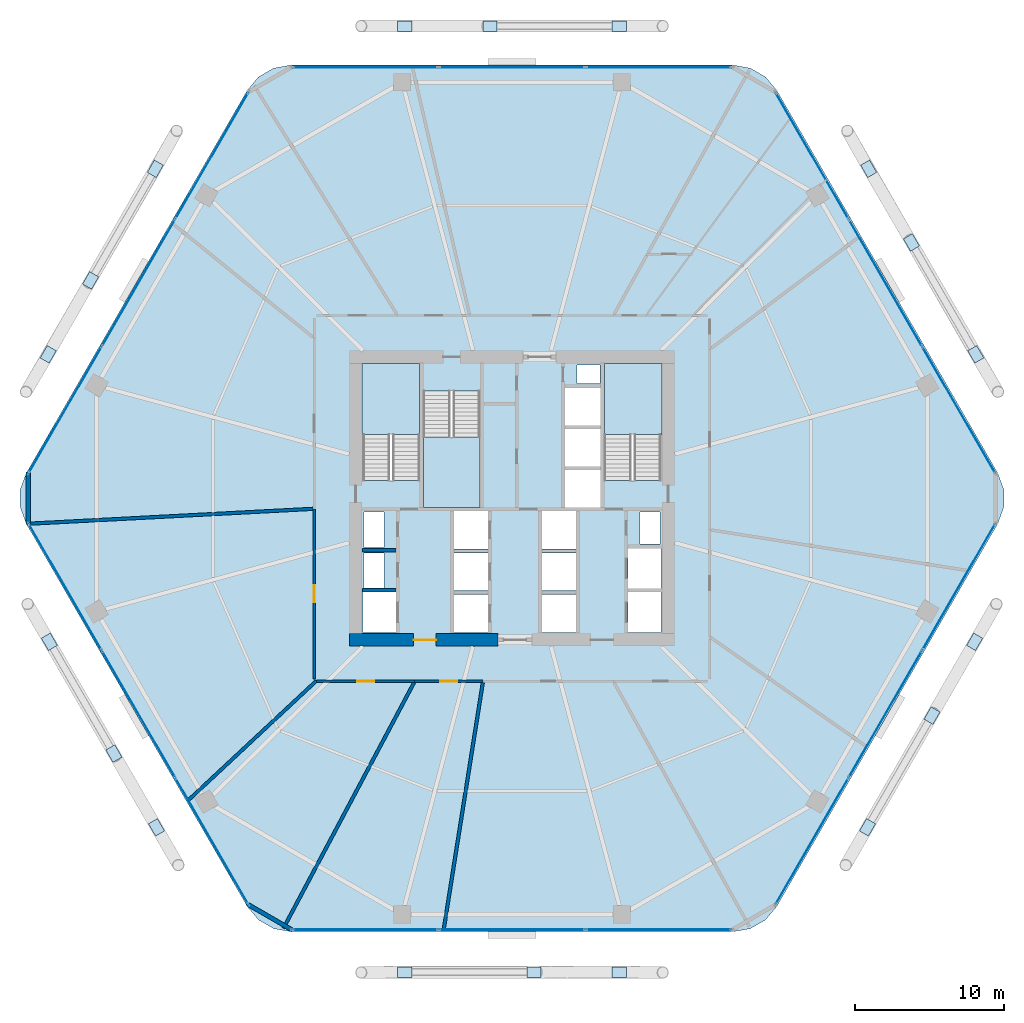
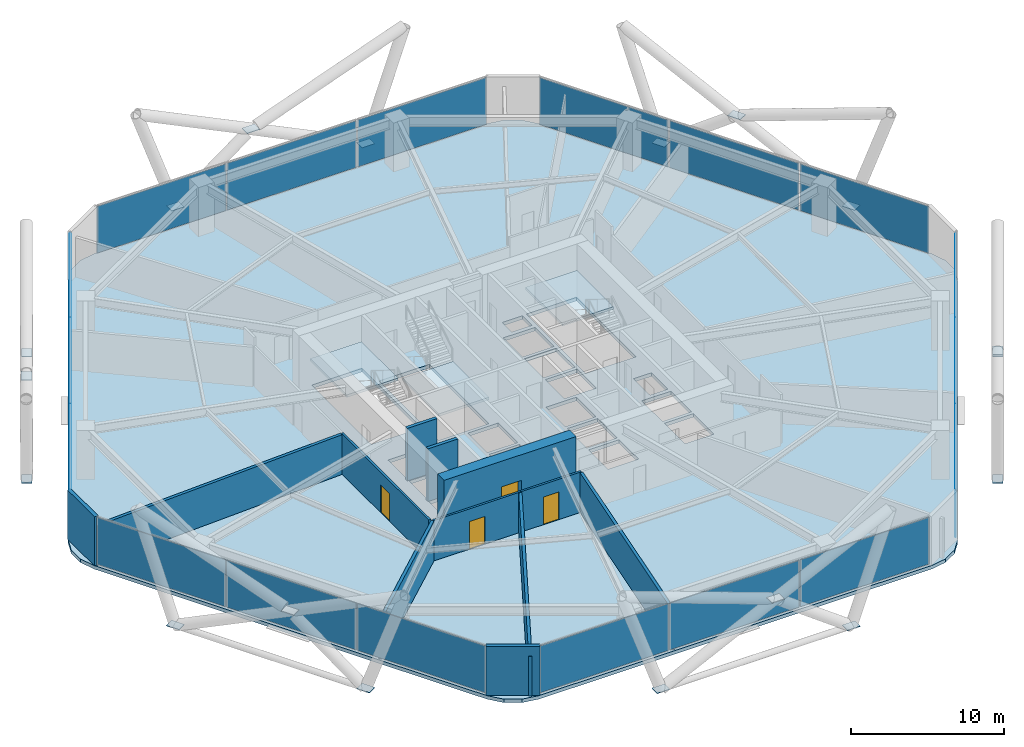
# One storey, part 24 of 30: 36 plates, 12 walls, 4 doors, 4 slabs, 4 openings, 9 elements without a shape of their own.
"""IFC4 building model written with IfcOpenShell, lengths in metres."""

from ifc_helpers import new_model, si_unit, direction, frame, frame_2d, origin, origin_2d, place, context, subcontext, project, spatial, polyline, rectangle, outline, extrude, material, layer, layer_set, type_object, element, fill, aggregate, save


model = new_model("IFC4")

# Units and contexts
model_context = context("Model", 3, precision=1e-05, world=origin(), true_north=direction((0.0, 1.0)))
body_context = subcontext(model_context, "Body", "Model", "MODEL_VIEW")
ifc_project = project(units=[si_unit("LENGTHUNIT", "METRE"), si_unit("AREAUNIT", "SQUARE_METRE"), si_unit("VOLUMEUNIT", "CUBIC_METRE"), si_unit("PLANEANGLEUNIT", "RADIAN"), si_unit("MASSUNIT", "GRAM", prefix="KILO")], contexts=[model_context])

# Site, building, storey
site_placement = place(None, origin())
site = spatial("IfcSite", under=ifc_project, at=site_placement, CompositionType="ELEMENT")
building_placement = place(site_placement, origin())
building = spatial("IfcBuilding", under=site, at=building_placement, Name="Zuhravey Tower", CompositionType="ELEMENT")
storey_placement = place(building_placement, frame((0.0, 0.0, 33.0)))
storey = spatial("IfcBuildingStorey", under=building, at=storey_placement, Name="L08", CompositionType="ELEMENT", Elevation=33.0)

# Curtain wall, plates
ifc_material_1 = material(Name="Thermally broken anodised aluminium", Category="aluminium")
curtain_wall_type = type_object("IfcCurtainWallType", Name="School Low-E Unitised Curtain Wall CW1", PredefinedType="NOTDEFINED", material=ifc_material_1)
curtain_wall_1_placement = place(storey_placement, origin())
curtain_wall_1 = element("IfcCurtainWall", 1, at=curtain_wall_1_placement, inside=storey, type_object=curtain_wall_type, Name="L08 CW1 CW-L08-F6-1", PredefinedType="NOTDEFINED")
ifc_material_2 = material(Name="Laminated acoustic low-E vision glass", Category="glass")
ifc_layer_1 = layer(ifc_material_2, 0.048095703125)
ifc_layer_set_1 = layer_set([ifc_layer_1], Name="Laminated acoustic low-E vision glass")
plate_type_1 = type_object("IfcPlateType", Name="Acoustic School Vision Panel", PredefinedType="CURTAIN_PANEL", material=ifc_layer_set_1)
plate_1_placement = place(storey_placement, frame((66.000732421875, 26.045654296875, 0.08984375), z_axis=(0.0, 0.0, 1.0), x_axis=(-0.499999794119, -0.86602552265, 0.0)))
plate_1 = element("IfcPlate", 2, at=plate_1_placement, type_object=plate_type_1, Name="CW1 panel 1.1", PredefinedType="CURTAIN_PANEL", context=body_context, shape_type="SweptSolid", body=[
    extrude(rectangle(XDim=9.7314453125, YDim=0.048095703125, at=origin_2d()), origin(), (0.0, 0.0, 1.0), 3.739990234375),
])
plate_2_placement = place(storey_placement, frame((61.078857421875, 17.520751953125, 0.08984375), z_axis=(0.0, 0.0, 1.0), x_axis=(-0.499999794119, -0.86602552265, 0.0)))
plate_2 = element("IfcPlate", 3, at=plate_2_placement, type_object=plate_type_1, Name="CW1 panel 2.1", PredefinedType="CURTAIN_PANEL", context=body_context, shape_type="SweptSolid", body=[
    extrude(rectangle(XDim=9.7763671875, YDim=0.048095703125, at=origin_2d()), origin(), (0.0, 0.0, 1.0), 3.739990234375),
])
plate_3_placement = place(storey_placement, frame((56.15673828125, 8.995849609375, 0.08984375), z_axis=(0.0, 0.0, 1.0), x_axis=(-0.499999794119, -0.86602552265, 0.0)))
plate_3 = element("IfcPlate", 4, at=plate_3_placement, type_object=plate_type_1, Name="CW1 panel 3.1", PredefinedType="CURTAIN_PANEL", context=body_context, shape_type="SweptSolid", body=[
    extrude(rectangle(XDim=9.7314453125, YDim=0.048095703125, at=origin_2d()), origin(), (0.0, 0.0, 1.0), 3.739990234375),
])
aggregate(curtain_wall_1, [plate_1, plate_2, plate_3])

curtain_wall_2_placement = place(storey_placement, origin())
curtain_wall_2 = element("IfcCurtainWall", 5, at=curtain_wall_2_placement, inside=storey, type_object=curtain_wall_type, Name="L08 CW1 CW-L08-F5-1", PredefinedType="NOTDEFINED")
plate_4_placement = place(storey_placement, frame((45.84375, 3.04150390625, 0.08984375), z_axis=(0.0, 0.0, 1.0), x_axis=(-1.0, 0.0, 0.0)))
plate_4 = element("IfcPlate", 6, at=plate_4_placement, type_object=plate_type_1, Name="CW1 panel 1.1", PredefinedType="CURTAIN_PANEL", context=body_context, shape_type="SweptSolid", body=[
    extrude(rectangle(XDim=9.7314453125, YDim=0.048095703125, at=origin_2d()), origin(), (0.0, 0.0, 1.0), 3.739990234375),
])
plate_5_placement = place(storey_placement, frame((36.0, 3.04150390625, 0.08984375), z_axis=(0.0, 0.0, 1.0), x_axis=(-1.0, 0.0, 0.0)))
plate_5 = element("IfcPlate", 7, at=plate_5_placement, type_object=plate_type_1, Name="CW1 panel 2.1", PredefinedType="CURTAIN_PANEL", context=body_context, shape_type="SweptSolid", body=[
    extrude(rectangle(XDim=9.7763671875, YDim=0.048095703125, at=origin_2d()), origin(), (0.0, 0.0, 1.0), 3.739990234375),
])
plate_6_placement = place(storey_placement, frame((26.15625, 3.04150390625, 0.08984375), z_axis=(0.0, 0.0, 1.0), x_axis=(-1.0, 0.0, 0.0)))
plate_6 = element("IfcPlate", 8, at=plate_6_placement, type_object=plate_type_1, Name="CW1 panel 3.1", PredefinedType="CURTAIN_PANEL", context=body_context, shape_type="SweptSolid", body=[
    extrude(rectangle(XDim=9.7314453125, YDim=0.048095703125, at=origin_2d()), origin(), (0.0, 0.0, 1.0), 3.739990234375),
])
aggregate(curtain_wall_2, [plate_4, plate_5, plate_6])

curtain_wall_3_placement = place(storey_placement, origin())
curtain_wall_3 = element("IfcCurtainWall", 9, at=curtain_wall_3_placement, inside=storey, type_object=curtain_wall_type, Name="L08 CW1 CW-L08-F4-1", PredefinedType="NOTDEFINED")
plate_7_placement = place(storey_placement, frame((15.84326171875, 8.995849609375, 0.08984375), z_axis=(0.0, 0.0, 1.0), x_axis=(-0.499999794119, 0.86602552265, 0.0)))
plate_7 = element("IfcPlate", 10, at=plate_7_placement, type_object=plate_type_1, Name="CW1 panel 1.1", PredefinedType="CURTAIN_PANEL", context=body_context, shape_type="SweptSolid", body=[
    extrude(rectangle(XDim=9.7314453125, YDim=0.048095703125, at=origin_2d()), origin(), (0.0, 0.0, 1.0), 3.739990234375),
])
plate_8_placement = place(storey_placement, frame((10.921142578125, 17.520751953125, 0.08984375), z_axis=(0.0, 0.0, 1.0), x_axis=(-0.499999794119, 0.86602552265, 0.0)))
plate_8 = element("IfcPlate", 11, at=plate_8_placement, type_object=plate_type_1, Name="CW1 panel 2.1", PredefinedType="CURTAIN_PANEL", context=body_context, shape_type="SweptSolid", body=[
    extrude(rectangle(XDim=9.7763671875, YDim=0.048095703125, at=origin_2d()), origin(), (0.0, 0.0, 1.0), 3.739990234375),
])
plate_9_placement = place(storey_placement, frame((5.999267578125, 26.045654296875, 0.08984375), z_axis=(0.0, 0.0, 1.0), x_axis=(-0.499999794119, 0.86602552265, 0.0)))
plate_9 = element("IfcPlate", 12, at=plate_9_placement, type_object=plate_type_1, Name="CW1 panel 3.1", PredefinedType="CURTAIN_PANEL", context=body_context, shape_type="SweptSolid", body=[
    extrude(rectangle(XDim=9.7314453125, YDim=0.048095703125, at=origin_2d()), origin(), (0.0, 0.0, 1.0), 3.739990234375),
])
aggregate(curtain_wall_3, [plate_7, plate_8, plate_9])

curtain_wall_4_placement = place(storey_placement, origin())
curtain_wall_4 = element("IfcCurtainWall", 13, at=curtain_wall_4_placement, inside=storey, type_object=curtain_wall_type, Name="L08 CW1 CW-L08-F3-1", PredefinedType="NOTDEFINED")
plate_10_placement = place(storey_placement, frame((5.999267578125, 37.954345703125, 0.08984375), z_axis=(0.0, 0.0, 1.0), x_axis=(0.499999794119, 0.86602552265, 0.0)))
plate_10 = element("IfcPlate", 14, at=plate_10_placement, type_object=plate_type_1, Name="CW1 panel 1.1", PredefinedType="CURTAIN_PANEL", context=body_context, shape_type="SweptSolid", body=[
    extrude(rectangle(XDim=9.7314453125, YDim=0.048095703125, at=origin_2d()), origin(), (0.0, 0.0, 1.0), 3.739990234375),
])
plate_11_placement = place(storey_placement, frame((10.921142578125, 46.479248046875, 0.08984375), z_axis=(0.0, 0.0, 1.0), x_axis=(0.499999794119, 0.86602552265, 0.0)))
plate_11 = element("IfcPlate", 15, at=plate_11_placement, type_object=plate_type_1, Name="CW1 panel 2.1", PredefinedType="CURTAIN_PANEL", context=body_context, shape_type="SweptSolid", body=[
    extrude(rectangle(XDim=9.7763671875, YDim=0.048095703125, at=origin_2d()), origin(), (0.0, 0.0, 1.0), 3.739990234375),
])
plate_12_placement = place(storey_placement, frame((15.84326171875, 55.004150390625, 0.08984375), z_axis=(0.0, 0.0, 1.0), x_axis=(0.499999794119, 0.86602552265, 0.0)))
plate_12 = element("IfcPlate", 16, at=plate_12_placement, type_object=plate_type_1, Name="CW1 panel 3.1", PredefinedType="CURTAIN_PANEL", context=body_context, shape_type="SweptSolid", body=[
    extrude(rectangle(XDim=9.7314453125, YDim=0.048095703125, at=origin_2d()), origin(), (0.0, 0.0, 1.0), 3.739990234375),
])
aggregate(curtain_wall_4, [plate_10, plate_11, plate_12])

curtain_wall_5_placement = place(storey_placement, origin())
curtain_wall_5 = element("IfcCurtainWall", 17, at=curtain_wall_5_placement, inside=storey, type_object=curtain_wall_type, Name="L08 CW1 CW-L08-F2-1", PredefinedType="NOTDEFINED")
plate_13_placement = place(storey_placement, frame((26.15625, 60.95849609375, 0.08984375), z_axis=(0.0, 0.0, 1.0), x_axis=(1.0, 0.0, 0.0)))
plate_13 = element("IfcPlate", 18, at=plate_13_placement, type_object=plate_type_1, Name="CW1 panel 1.1", PredefinedType="CURTAIN_PANEL", context=body_context, shape_type="SweptSolid", body=[
    extrude(rectangle(XDim=9.7314453125, YDim=0.048095703125, at=origin_2d()), origin(), (0.0, 0.0, 1.0), 3.739990234375),
])
plate_14_placement = place(storey_placement, frame((36.0, 60.95849609375, 0.08984375), z_axis=(0.0, 0.0, 1.0), x_axis=(1.0, 0.0, 0.0)))
plate_14 = element("IfcPlate", 19, at=plate_14_placement, type_object=plate_type_1, Name="CW1 panel 2.1", PredefinedType="CURTAIN_PANEL", context=body_context, shape_type="SweptSolid", body=[
    extrude(rectangle(XDim=9.7763671875, YDim=0.048095703125, at=origin_2d()), origin(), (0.0, 0.0, 1.0), 3.739990234375),
])
plate_15_placement = place(storey_placement, frame((45.84375, 60.95849609375, 0.08984375), z_axis=(0.0, 0.0, 1.0), x_axis=(1.0, 0.0, 0.0)))
plate_15 = element("IfcPlate", 20, at=plate_15_placement, type_object=plate_type_1, Name="CW1 panel 3.1", PredefinedType="CURTAIN_PANEL", context=body_context, shape_type="SweptSolid", body=[
    extrude(rectangle(XDim=9.7314453125, YDim=0.048095703125, at=origin_2d()), origin(), (0.0, 0.0, 1.0), 3.739990234375),
])
aggregate(curtain_wall_5, [plate_13, plate_14, plate_15])

curtain_wall_6_placement = place(storey_placement, origin())
curtain_wall_6 = element("IfcCurtainWall", 21, at=curtain_wall_6_placement, inside=storey, type_object=curtain_wall_type, Name="L08 CW1 CW-L08-F1-1", PredefinedType="NOTDEFINED")
plate_16_placement = place(storey_placement, frame((56.15673828125, 55.004150390625, 0.08984375), z_axis=(0.0, 0.0, 1.0), x_axis=(0.499999794119, -0.86602552265, 0.0)))
plate_16 = element("IfcPlate", 22, at=plate_16_placement, type_object=plate_type_1, Name="CW1 panel 1.1", PredefinedType="CURTAIN_PANEL", context=body_context, shape_type="SweptSolid", body=[
    extrude(rectangle(XDim=9.7314453125, YDim=0.048095703125, at=origin_2d()), origin(), (0.0, 0.0, 1.0), 3.739990234375),
])
plate_17_placement = place(storey_placement, frame((61.078857421875, 46.479248046875, 0.08984375), z_axis=(0.0, 0.0, 1.0), x_axis=(0.499999794119, -0.86602552265, 0.0)))
plate_17 = element("IfcPlate", 23, at=plate_17_placement, type_object=plate_type_1, Name="CW1 panel 2.1", PredefinedType="CURTAIN_PANEL", context=body_context, shape_type="SweptSolid", body=[
    extrude(rectangle(XDim=9.7763671875, YDim=0.048095703125, at=origin_2d()), origin(), (0.0, 0.0, 1.0), 3.739990234375),
])
plate_18_placement = place(storey_placement, frame((66.000732421875, 37.954345703125, 0.08984375), z_axis=(0.0, 0.0, 1.0), x_axis=(0.499999794119, -0.86602552265, 0.0)))
plate_18 = element("IfcPlate", 24, at=plate_18_placement, type_object=plate_type_1, Name="CW1 panel 3.1", PredefinedType="CURTAIN_PANEL", context=body_context, shape_type="SweptSolid", body=[
    extrude(rectangle(XDim=9.7314453125, YDim=0.048095703125, at=origin_2d()), origin(), (0.0, 0.0, 1.0), 3.739990234375),
])
aggregate(curtain_wall_6, [plate_16, plate_17, plate_18])

# Plates
ifc_material_3 = material(Name="Steel SM460", Category="steel")
ifc_layer_2 = layer(ifc_material_3, 0.0400390625)
ifc_layer_set_2 = layer_set([ifc_layer_2], Name="Steel SM460")
plate_type_2 = type_object("IfcPlateType", Name="Exoskeleton Zone 1 Node Plate ND1", PredefinedType="SHEET", material=ifc_layer_set_2)
for number, where, z_axis, x_axis, name in (
    (25, (67.143798828125, 41.67431640625, -0.513916015625), (0.0, 0.0, 1.0), (-0.5, 0.866025403784, 0.0), "L08 Exoskeleton Node Gusset L08-01"),
    (26, (59.949951171875, 54.13427734375, -0.513916015625), (0.0, 0.0, 1.0), (-0.5, 0.866025403784, 0.0), "L08 Exoskeleton Node Gusset L08-02"),
    (27, (43.19384765625, 63.718505859375, -0.513916015625), (0.0, 0.0, 1.0), (-1.0, 0.0, 0.0), "L08 Exoskeleton Node Gusset L08-03"),
    (28, (28.80615234375, 63.718505859375, -0.513916015625), (0.0, 0.0, 1.0), (-1.0, 0.0, 0.0), "L08 Exoskeleton Node Gusset L08-04"),
    (29, (12.050048828125, 54.13427734375, -0.513916015625), (0.0, 0.0, 1.0), (-0.5, -0.866025403784, 0.0), "L08 Exoskeleton Node Gusset L08-05"),
    (30, (4.856201171875, 41.67431640625, -0.513916015625), (0.0, 0.0, 1.0), (-0.5, -0.866025403784, 0.0), "L08 Exoskeleton Node Gusset L08-06"),
    (31, (4.93408203125, 22.370849609375, -0.513916015625), (0.0, 0.0, 1.0), (0.5, -0.866025403784, 0.0), "L08 Exoskeleton Node Gusset L08-07"),
    (32, (12.1279296875, 9.91064453125, -0.513916015625), (0.0, 0.0, 1.0), (0.5, -0.866025403784, 0.0), "L08 Exoskeleton Node Gusset L08-08"),
    (33, (28.80615234375, 0.19140625, -0.513916015625), (0.0, 0.0, 1.0), (1.0, 0.0, 0.0), "L08 Exoskeleton Node Gusset L08-09"),
    (34, (43.19384765625, 0.19140625, -0.513916015625), (0.0, 0.0, 1.0), (1.0, 0.0, 0.0), "L08 Exoskeleton Node Gusset L08-10"),
    (35, (59.8720703125, 9.91064453125, -0.513916015625), (0.0, 0.0, 1.0), (0.5, 0.866025403784, 0.0), "L08 Exoskeleton Node Gusset L08-11"),
    (36, (67.06591796875, 22.370849609375, -0.513916015625), (0.0, 0.0, 1.0), (0.5, 0.866025403784, 0.0), "L08 Exoskeleton Node Gusset L08-12"),
    (37, (62.82421875, 49.18603515625, 3.68603515625), (0.0, 0.0, 1.0), (-0.5, 0.866025403784, 0.0), "L08 Face 1 Diagrid X-Crossing Plate"),
    (38, (34.528564453125, 63.718505859375, 3.68603515625), (0.0, 0.0, 1.0), (-1.0, 0.0, 0.0), "L08 Face 2 Diagrid X-Crossing Plate"),
    (39, (7.704345703125, 46.637451171875, 3.68603515625), (0.0, 0.0, 1.0), (-0.5, -0.866025403784, 0.0), "L08 Face 3 Diagrid X-Crossing Plate"),
    (40, (9.266845703125, 14.866455078125, 3.68603515625), (0.0, 0.0, 1.0), (0.5, -0.866025403784, 0.0), "L08 Face 4 Diagrid X-Crossing Plate"),
    (41, (37.471435546875, 0.176513671875, 3.68603515625), (0.0, 0.0, 1.0), (1.0, 0.0, 0.0), "L08 Face 5 Diagrid X-Crossing Plate"),
    (42, (64.204833984375, 17.4150390625, 3.68603515625), (0.0, 0.0, 1.0), (0.5, 0.866025403784, 0.0), "L08 Face 6 Diagrid X-Crossing Plate"),
):
    element("IfcPlate", number, at=place(storey_placement, frame(where, z_axis=z_axis, x_axis=x_axis)), inside=storey, type_object=plate_type_2, Name=name, PredefinedType="SHEET", context=body_context, shape_type="SweptSolid", body=[
        extrude(rectangle(XDim=0.9599609375, YDim=0.699951171875, at=origin_2d()), origin(), (0.0, 0.0, 1.0), 0.0400390625),
    ])

# Slab
ifc_material_4 = material(Name="Concrete C50/60", Category="concrete")
ifc_layer_3 = layer(ifc_material_4, 0.280029296875)
ifc_layer_set_3 = layer_set([ifc_layer_3], Name="Concrete C50/60")
slab_type_1 = type_object("IfcSlabType", Name="School Composite Floor Slab 280", PredefinedType="FLOOR", material=ifc_layer_set_3)
slab_1_placement = place(storey_placement, frame((0.0, 0.0, -0.280029296875)))
element("IfcSlab", 43, at=slab_1_placement, inside=storey, type_object=slab_type_1, Name="L08 Floor Slab FS28", PredefinedType="FLOOR", context=body_context, shape_type="SweptSolid", body=[
    extrude(outline(polyline([(68.618408203125, 30.300048828125), (69.0224609375, 31.40966796875), (69.0224609375, 32.59033203125), (68.618408203125, 33.699951171875), (53.781494140625, 59.3984375), (53.0224609375, 60.302978515625), (52.0, 60.893310546875), (50.8369140625, 61.098388671875), (21.1630859375, 61.098388671875), (20.0, 60.893310546875), (18.9775390625, 60.302978515625), (18.218505859375, 59.3984375), (3.381591796875, 33.699951171875), (2.9775390625, 32.59033203125), (2.9775390625, 31.40966796875), (3.381591796875, 30.300048828125), (18.218505859375, 4.6015625), (18.9775390625, 3.697021484375), (20.0, 3.106689453125), (21.1630859375, 2.901611328125), (50.8369140625, 2.901611328125), (52.0, 3.106689453125), (53.0224609375, 3.697021484375), (53.781494140625, 4.6015625), (68.618408203125, 30.300048828125)]), holes=[polyline([(29.800048828125, 33.20068359375), (29.800048828125, 41.0), (26.0, 41.0), (26.0, 33.20068359375), (29.800048828125, 33.20068359375)]), polyline([(46.0, 33.20068359375), (46.0, 41.0), (42.199951171875, 41.0), (42.199951171875, 33.20068359375), (46.0, 33.20068359375)]), polyline([(30.050048828125, 39.199462890625), (30.050048828125, 31.39990234375), (33.85009765625, 31.39990234375), (33.85009765625, 39.199462890625), (30.050048828125, 39.199462890625)]), polyline([(32.10009765625, 23.0), (34.39990234375, 23.0), (34.39990234375, 25.550048828125), (32.10009765625, 25.550048828125), (32.10009765625, 23.0)]), polyline([(32.10009765625, 25.800048828125), (34.39990234375, 25.800048828125), (34.39990234375, 28.35009765625), (32.10009765625, 28.35009765625), (32.10009765625, 25.800048828125)]), polyline([(32.10009765625, 28.60009765625), (34.39990234375, 28.60009765625), (34.39990234375, 31.14990234375), (32.10009765625, 31.14990234375), (32.10009765625, 28.60009765625)]), polyline([(38.0, 23.0), (40.300048828125, 23.0), (40.300048828125, 25.550048828125), (38.0, 25.550048828125), (38.0, 23.0)]), polyline([(38.0, 25.800048828125), (40.300048828125, 25.800048828125), (40.300048828125, 28.35009765625), (38.0, 28.35009765625), (38.0, 25.800048828125)]), polyline([(38.0, 28.60009765625), (40.300048828125, 28.60009765625), (40.300048828125, 31.14990234375), (38.0, 31.14990234375), (38.0, 28.60009765625)]), polyline([(39.550048828125, 31.39990234375), (41.949951171875, 31.39990234375), (41.949951171875, 33.89990234375), (39.550048828125, 33.89990234375), (39.550048828125, 31.39990234375)]), polyline([(39.550048828125, 34.14990234375), (41.949951171875, 34.14990234375), (41.949951171875, 36.64990234375), (39.550048828125, 36.64990234375), (39.550048828125, 34.14990234375)]), polyline([(39.550048828125, 36.89990234375), (41.949951171875, 36.89990234375), (41.949951171875, 39.39990234375), (39.550048828125, 39.39990234375), (39.550048828125, 36.89990234375)]), polyline([(26.0, 23.0), (28.199951171875, 23.0), (28.199951171875, 25.699951171875), (26.0, 25.699951171875), (26.0, 23.0)]), polyline([(43.800048828125, 23.0), (46.0, 23.0), (46.0, 25.699951171875), (43.800048828125, 25.699951171875), (43.800048828125, 23.0)]), polyline([(43.800048828125, 25.949951171875), (46.0, 25.949951171875), (46.0, 28.64990234375), (43.800048828125, 28.64990234375), (43.800048828125, 25.949951171875)]), polyline([(26.050048828125, 26.0), (27.39990234375, 26.0), (27.39990234375, 28.35009765625), (26.050048828125, 28.35009765625), (26.050048828125, 26.0)]), polyline([(26.050048828125, 28.699951171875), (27.39990234375, 28.699951171875), (27.39990234375, 31.10009765625), (26.050048828125, 31.10009765625), (26.050048828125, 28.699951171875)]), polyline([(44.60009765625, 28.949951171875), (45.949951171875, 28.949951171875), (45.949951171875, 31.10009765625), (44.60009765625, 31.10009765625), (44.60009765625, 28.949951171875)]), polyline([(40.35009765625, 39.699951171875), (41.89990234375, 39.699951171875), (41.89990234375, 40.949951171875), (40.35009765625, 40.949951171875), (40.35009765625, 39.699951171875)])]), origin(), (0.0, 0.0, 1.0), 0.280029296875),
])

# Stair, slab
ifc_material_5 = material(Name="Concrete C40/50", Category="concrete")
stair_type = type_object("IfcStairType", Name="School Storey Stair Assembly 4200", PredefinedType="HALF_TURN_STAIR", material=ifc_material_5)
stair_1_placement = place(storey_placement, origin())
stair_1 = element("IfcStair", 44, at=stair_1_placement, inside=storey, type_object=stair_type, Name="L08 Core Exit Stair ST1", PredefinedType="HALF_TURN_STAIR")
ifc_layer_4 = layer(ifc_material_5, 0.199951171875)
ifc_layer_set_4 = layer_set([ifc_layer_4], Name="Concrete C40/50")
slab_type_2 = type_object("IfcSlabType", Name="Stair Landing Slab 200", PredefinedType="LANDING", material=ifc_layer_set_4)
slab_2_placement = place(storey_placement, frame((0.0, 0.0, 1.89990234375)))
slab_2 = element("IfcSlab", 45, at=slab_2_placement, type_object=slab_type_2, Name="ST1 landing 1", PredefinedType="LANDING", context=body_context, shape_type="SweptSolid", body=[
    extrude(outline(polyline([(29.800048828125, 36.280029296875), (29.800048828125, 41.072998046875), (25.927001953125, 41.072998046875), (25.927001953125, 36.280029296875), (29.800048828125, 36.280029296875)])), origin(), (0.0, 0.0, 1.0), 0.2001953125),
])
aggregate(stair_1, [slab_2])

stair_2_placement = place(storey_placement, origin())
stair_2 = element("IfcStair", 46, at=stair_2_placement, inside=storey, type_object=stair_type, Name="L08 Core Exit Stair ST2", PredefinedType="HALF_TURN_STAIR")
slab_3_placement = place(storey_placement, frame((0.0, 0.0, 1.89990234375)))
slab_3 = element("IfcSlab", 47, at=slab_3_placement, type_object=slab_type_2, Name="ST2 landing 1", PredefinedType="LANDING", context=body_context, shape_type="SweptSolid", body=[
    extrude(outline(polyline([(46.072998046875, 36.280029296875), (46.072998046875, 41.072998046875), (42.199951171875, 41.072998046875), (42.199951171875, 36.280029296875), (46.072998046875, 36.280029296875)])), origin(), (0.0, 0.0, 1.0), 0.2001953125),
])
aggregate(stair_2, [slab_3])

stair_3_placement = place(storey_placement, origin())
stair_3 = element("IfcStair", 48, at=stair_3_placement, inside=storey, type_object=stair_type, Name="L08 Core Exit Stair ST3", PredefinedType="HALF_TURN_STAIR")
slab_4_placement = place(storey_placement, frame((0.0, 0.0, 1.89990234375)))
slab_4 = element("IfcSlab", 49, at=slab_4_placement, type_object=slab_type_2, Name="ST3 landing 1", PredefinedType="LANDING", context=body_context, shape_type="SweptSolid", body=[
    extrude(outline(polyline([(30.050048828125, 36.1201171875), (30.050048828125, 31.39990234375), (33.85009765625, 31.39990234375), (33.85009765625, 36.1201171875), (30.050048828125, 36.1201171875)])), origin(), (0.0, 0.0, 1.0), 0.2001953125),
])
aggregate(stair_3, [slab_4])

# Wall, opening, door
ifc_material_6 = material(Name="Concrete C60/75", Category="concrete")
ifc_layer_5 = layer(ifc_material_6, 0.85009765625)
ifc_layer_set_5 = layer_set([ifc_layer_5], Name="Concrete C60/75")
wall_type_1 = type_object("IfcWallType", Name="Core Shear Wall 850", PredefinedType="SHEAR", material=ifc_layer_set_5)
wall_1_placement = place(storey_placement, frame((25.074951171875, 22.5, 0.0), z_axis=(0.0, 0.0, 1.0), x_axis=(1.0, 0.0, 0.0)))
wall_1 = element("IfcWall", 50, at=wall_1_placement, inside=storey, type_object=wall_type_1, Name="L08 South-West Core Shear Wall CW85", PredefinedType="SHEAR", context=body_context, shape_type="SweptSolid", body=[
    extrude(rectangle(XDim=9.97509765625, YDim=0.85009765625, at=frame_2d((4.987548828125, 0.0))), origin(), (0.0, 0.0, 1.0), 4.199951171875),
])
opening_1_placement = place(wall_1_placement, frame((4.324951171875, 0.0, 0.0)))
opening_1 = element("IfcOpeningElement", 51, at=opening_1_placement, cuts=wall_1, Name="Opening FFD1", PredefinedType="OPENING", context=body_context, shape_type="SweptSolid", body=[
    extrude(rectangle(XDim=1.5, YDim=2.14990234375, at=frame_2d((0.75, 1.074951171875))), frame((0.0, 0.43701171875, 0.0), z_axis=(0.0, -1.0, 0.0), x_axis=(1.0, 0.0, 0.0)), (0.0, 0.0, 1.0), 0.8740234375),
])
ifc_material_7 = material(Name="Galvanised fire-rated steel leaf", Category="steel")
door_type_1 = type_object("IfcDoorType", Name="Firefighting Lobby Double Door 1500x2150", OperationType="DOUBLE_DOOR_SINGLE_SWING", PredefinedType="DOOR", material=ifc_material_7)
door_1_placement = place(opening_1_placement, origin())
door_1 = element("IfcDoor", 52, at=door_1_placement, inside=storey, type_object=door_type_1, Name="L08 Firefighting Lobby West Door", OperationType="DOUBLE_DOOR_SINGLE_SWING", OverallHeight=2.14990234375, OverallWidth=1.5, PredefinedType="DOOR", context=body_context, shape_type="SweptSolid", body=[
    extrude(rectangle(XDim=1.5, YDim=2.14990234375, at=frame_2d((0.75, 1.074951171875))), frame((0.0, 0.02490234375, 0.0), z_axis=(0.0, -1.0, 0.0), x_axis=(1.0, 0.0, 0.0)), (0.0, 0.0, 1.0), 0.050048828125),
])
fill(opening_1, door_1)

ifc_material_8 = material(Name="Gypsum fire-rated stud partition")
ifc_layer_6 = layer(ifc_material_8, 0.159912109375)
ifc_layer_set_6 = layer_set([ifc_layer_6], Name="Gypsum fire-rated stud partition")
wall_type_2 = type_object("IfcWallType", Name="Corridor Fire Partition 160", PredefinedType="PARTITIONING", material=ifc_layer_set_6)
wall_2_placement = place(storey_placement, frame((22.715087890625, 31.3037109375, 0.0), z_axis=(0.0, 0.0, 1.0), x_axis=(0.0, -1.0, 0.0)))
wall_2 = element("IfcWall", 53, at=wall_2_placement, inside=storey, type_object=wall_type_2, Name="L08 IW16 Partition 027", PredefinedType="PARTITIONING", context=body_context, shape_type="SweptSolid", body=[
    extrude(rectangle(XDim=11.4287109375, YDim=0.159912109375, at=frame_2d((5.71435546875, 0.0))), origin(), (0.0, 0.0, 1.0), 3.219970703125),
])
opening_2_placement = place(wall_2_placement, frame((5.139404296875, 0.0, 0.0)))
opening_2 = element("IfcOpeningElement", 54, at=opening_2_placement, cuts=wall_2, Name="Opening CLD1", PredefinedType="OPENING", context=body_context, shape_type="SweptSolid", body=[
    extrude(rectangle(XDim=1.14990234375, YDim=2.199951171875, at=frame_2d((0.574951171875, 1.10009765625))), frame((0.0, 0.092041015625, 0.0), z_axis=(0.0, -1.0, 0.0), x_axis=(1.0, 0.0, 0.0)), (0.0, 0.0, 1.0), 0.183837890625),
])
ifc_material_9 = material(Name="Acoustic timber leaf with vision lite", Category="wood")
door_type_2 = type_object("IfcDoorType", Name="Classroom Acoustic Door 1150x2200", OperationType="NOTDEFINED", PredefinedType="DOOR", material=ifc_material_9)
door_2_placement = place(opening_2_placement, frame((1.14990234375, 0.0, 0.0), z_axis=(0.0, 0.0, 1.0), x_axis=(-1.0, 0.0, 0.0)))
door_2 = element("IfcDoor", 55, at=door_2_placement, inside=storey, type_object=door_type_2, Name="L08 Door 027.1", OperationType="SINGLE_SWING_LEFT", OverallHeight=2.199951171875, OverallWidth=1.14990234375, PredefinedType="DOOR", context=body_context, shape_type="SweptSolid", body=[
    extrude(rectangle(XDim=1.14990234375, YDim=2.199951171875, at=frame_2d((0.574951171875, 1.10009765625))), frame((0.0, 0.02490234375, 0.0), z_axis=(0.0, -1.0, 0.0), x_axis=(1.0, 0.0, 0.0)), (0.0, 0.0, 1.0), 0.050048828125),
])
fill(opening_2, door_2)

wall_3_placement = place(storey_placement, frame((22.875, 19.715087890625, 0.0), z_axis=(0.0, 0.0, 1.0), x_axis=(1.0, 0.0, 0.0)))
wall_3 = element("IfcWall", 56, at=wall_3_placement, inside=storey, type_object=wall_type_2, Name="L08 IW16 Partition 028", PredefinedType="PARTITIONING", context=body_context, shape_type="SweptSolid", body=[
    extrude(rectangle(XDim=6.593017578125, YDim=0.159912109375, at=frame_2d((3.29638671875, 0.0))), origin(), (0.0, 0.0, 1.0), 3.219970703125),
])
opening_3_placement = place(wall_3_placement, frame((2.721435546875, 0.0, 0.0)))
opening_3 = element("IfcOpeningElement", 57, at=opening_3_placement, cuts=wall_3, Name="Opening CLD1", PredefinedType="OPENING", context=body_context, shape_type="SweptSolid", body=[
    extrude(rectangle(XDim=1.14990234375, YDim=2.199951171875, at=frame_2d((0.574951171875, 1.10009765625))), frame((0.0, 0.092041015625, 0.0), z_axis=(0.0, -1.0, 0.0), x_axis=(1.0, 0.0, 0.0)), (0.0, 0.0, 1.0), 0.183837890625),
])
door_3_placement = place(opening_3_placement, frame((1.14990234375, 0.0, 0.0), z_axis=(0.0, 0.0, 1.0), x_axis=(-1.0, 0.0, 0.0)))
door_3 = element("IfcDoor", 58, at=door_3_placement, inside=storey, type_object=door_type_2, Name="L08 Door 028.1", OperationType="SINGLE_SWING_RIGHT", OverallHeight=2.199951171875, OverallWidth=1.14990234375, PredefinedType="DOOR", context=body_context, shape_type="SweptSolid", body=[
    extrude(rectangle(XDim=1.14990234375, YDim=2.199951171875, at=frame_2d((0.574951171875, 1.10009765625))), frame((0.0, 0.02490234375, 0.0), z_axis=(0.0, -1.0, 0.0), x_axis=(1.0, 0.0, 0.0)), (0.0, 0.0, 1.0), 0.050048828125),
])
fill(opening_3, door_3)

wall_4_placement = place(storey_placement, frame((29.468017578125, 19.715087890625, 0.0), z_axis=(0.0, 0.0, 1.0), x_axis=(1.0, 0.0, 0.0)))
wall_4 = element("IfcWall", 59, at=wall_4_placement, inside=storey, type_object=wall_type_2, Name="L08 IW16 Partition 029", PredefinedType="PARTITIONING", context=body_context, shape_type="SweptSolid", body=[
    extrude(rectangle(XDim=4.586181640625, YDim=0.159912109375, at=frame_2d((2.29296875, 0.0))), origin(), (0.0, 0.0, 1.0), 3.219970703125),
])
opening_4_placement = place(wall_4_placement, frame((1.71826171875, 0.0, 0.0)))
opening_4 = element("IfcOpeningElement", 60, at=opening_4_placement, cuts=wall_4, Name="Opening CLD1", PredefinedType="OPENING", context=body_context, shape_type="SweptSolid", body=[
    extrude(rectangle(XDim=1.14990234375, YDim=2.199951171875, at=frame_2d((0.574951171875, 1.10009765625))), frame((0.0, 0.092041015625, 0.0), z_axis=(0.0, -1.0, 0.0), x_axis=(1.0, 0.0, 0.0)), (0.0, 0.0, 1.0), 0.183837890625),
])
door_4_placement = place(opening_4_placement, frame((1.14990234375, 0.0, 0.0), z_axis=(0.0, 0.0, 1.0), x_axis=(-1.0, 0.0, 0.0)))
door_4 = element("IfcDoor", 61, at=door_4_placement, inside=storey, type_object=door_type_2, Name="L08 Door 029.1", OperationType="SINGLE_SWING_LEFT", OverallHeight=2.199951171875, OverallWidth=1.14990234375, PredefinedType="DOOR", context=body_context, shape_type="SweptSolid", body=[
    extrude(rectangle(XDim=1.14990234375, YDim=2.199951171875, at=frame_2d((0.574951171875, 1.10009765625))), frame((0.0, 0.02490234375, 0.0), z_axis=(0.0, -1.0, 0.0), x_axis=(1.0, 0.0, 0.0)), (0.0, 0.0, 1.0), 0.050048828125),
])
fill(opening_4, door_4)

# Walls
ifc_material_10 = material(Name="Precast concrete C40/50", Category="concrete")
ifc_layer_7 = layer(ifc_material_10, 0.280029296875)
ifc_layer_set_7 = layer_set([ifc_layer_7], Name="Precast concrete C40/50")
wall_type_3 = type_object("IfcWallType", Name="Crown Architectural Wall 280", PredefinedType="SOLIDWALL", material=ifc_layer_set_7)
wall_5_placement = place(storey_placement, frame((21.28271484375, 2.993896484375, 0.0), z_axis=(0.0, 0.0, 1.0), x_axis=(-0.866007452331, 0.500031091541, 0.0)))
element("IfcWall", 62, at=wall_5_placement, inside=storey, type_object=wall_type_3, Name="L08 Rounded Corner Closure Wall EW28-04", PredefinedType="SOLIDWALL", context=body_context, shape_type="SweptSolid", body=[
    extrude(rectangle(XDim=3.514892578125, YDim=0.280029296875, at=frame_2d((1.75732421875, 0.0))), origin(), (0.0, 0.0, 1.0), 3.919921875),
])
wall_6_placement = place(storey_placement, frame((3.521484375, 30.242431640625, 0.0), z_axis=(0.0, 0.0, 1.0), x_axis=(0.0, 1.0, 0.0)))
element("IfcWall", 63, at=wall_6_placement, inside=storey, type_object=wall_type_3, Name="L08 Rounded Corner Closure Wall EW28-06", PredefinedType="SOLIDWALL", context=body_context, shape_type="SweptSolid", body=[
    extrude(rectangle(XDim=3.51513671875, YDim=0.280029296875, at=frame_2d((1.757568359375, 0.0))), origin(), (0.0, 0.0, 1.0), 3.919921875),
])
ifc_layer_8 = layer(ifc_material_4, 0.25)
ifc_layer_set_8 = layer_set([ifc_layer_8], Name="Concrete C50/60")
wall_type_4 = type_object("IfcWallType", Name="Firefighting Shaft & Stair Wall 250", PredefinedType="SOLIDWALL", material=ifc_layer_set_8)
for number, where, z_axis, x_axis, name in (
    (64, (25.949951171875, 25.824951171875, 0.0), (0.0, 0.0, 1.0), (1.0, 0.0, 0.0), "L08 FW25 Shaft Wall 009"),
    (65, (25.949951171875, 28.52490234375, 0.0), (0.0, 0.0, 1.0), (1.0, 0.0, 0.0), "L08 FW25 Shaft Wall 010"),
):
    element("IfcWall", number, at=place(storey_placement, frame(where, z_axis=z_axis, x_axis=x_axis)), inside=storey, type_object=wall_type_4, Name=name, PredefinedType="SOLIDWALL", context=body_context, shape_type="SweptSolid", body=[
        extrude(rectangle(XDim=2.25, YDim=0.25, at=frame_2d((1.125, 0.0))), origin(), (0.0, 0.0, 1.0), 4.199951171875),
    ])
ifc_material_11 = material(Name="Gypsum acoustic stud assembly")
ifc_layer_9 = layer(ifc_material_11, 0.219970703125)
ifc_layer_set_9 = layer_set([ifc_layer_9], Name="Gypsum acoustic stud assembly")
wall_type_5 = type_object("IfcWallType", Name="School Acoustic Compartment Wall 220", PredefinedType="PARTITIONING", material=ifc_layer_set_9)
wall_7_placement = place(storey_placement, frame((22.626953125, 31.299072265625, 0.0), z_axis=(0.0, 0.0, 1.0), x_axis=(-0.99862983793, -0.052330170999, 0.0)))
element("IfcWall", 66, at=wall_7_placement, inside=storey, type_object=wall_type_5, Name="L08 IW22 Partition 054", PredefinedType="PARTITIONING", context=body_context, shape_type="SweptSolid", body=[
    extrude(rectangle(XDim=19.109375, YDim=0.219970703125, at=frame_2d((9.5546875, 0.0))), origin(), (0.0, 0.0, 1.0), 3.169921875),
])
wall_8_placement = place(storey_placement, frame((22.849853515625, 19.7373046875, 0.0), z_axis=(0.0, 0.0, 1.0), x_axis=(-0.731360864489, -0.681990678744, 0.0)))
element("IfcWall", 67, at=wall_8_placement, inside=storey, type_object=wall_type_5, Name="L08 IW22 Partition 055", PredefinedType="PARTITIONING", context=body_context, shape_type="SweptSolid", body=[
    extrude(rectangle(XDim=11.73974609375, YDim=0.219970703125, at=frame_2d((5.869873046875, 0.0))), origin(), (0.0, 0.0, 1.0), 3.169921875),
])
wall_9_placement = place(storey_placement, frame((29.421142578125, 19.626953125, 0.0), z_axis=(0.0, 0.0, 1.0), x_axis=(-0.469469908408, -0.882948472505, 0.0)))
element("IfcWall", 68, at=wall_9_placement, inside=storey, type_object=wall_type_5, Name="L08 IW22 Partition 056", PredefinedType="PARTITIONING", context=body_context, shape_type="SweptSolid", body=[
    extrude(rectangle(XDim=18.6796875, YDim=0.219970703125, at=frame_2d((9.33984375, 0.0))), origin(), (0.0, 0.0, 1.0), 3.169921875),
])
wall_10_placement = place(storey_placement, frame((34.040283203125, 19.626953125, 0.0), z_axis=(0.0, 0.0, 1.0), x_axis=(-0.156438882107, -0.98768764099, 0.0)))
element("IfcWall", 69, at=wall_10_placement, inside=storey, type_object=wall_type_5, Name="L08 IW22 Partition 057", PredefinedType="PARTITIONING", context=body_context, shape_type="SweptSolid", body=[
    extrude(rectangle(XDim=16.792236328125, YDim=0.219970703125, at=frame_2d((8.39599609375, 0.0))), origin(), (0.0, 0.0, 1.0), 3.169921875),
])

save(model, "model.ifc")
